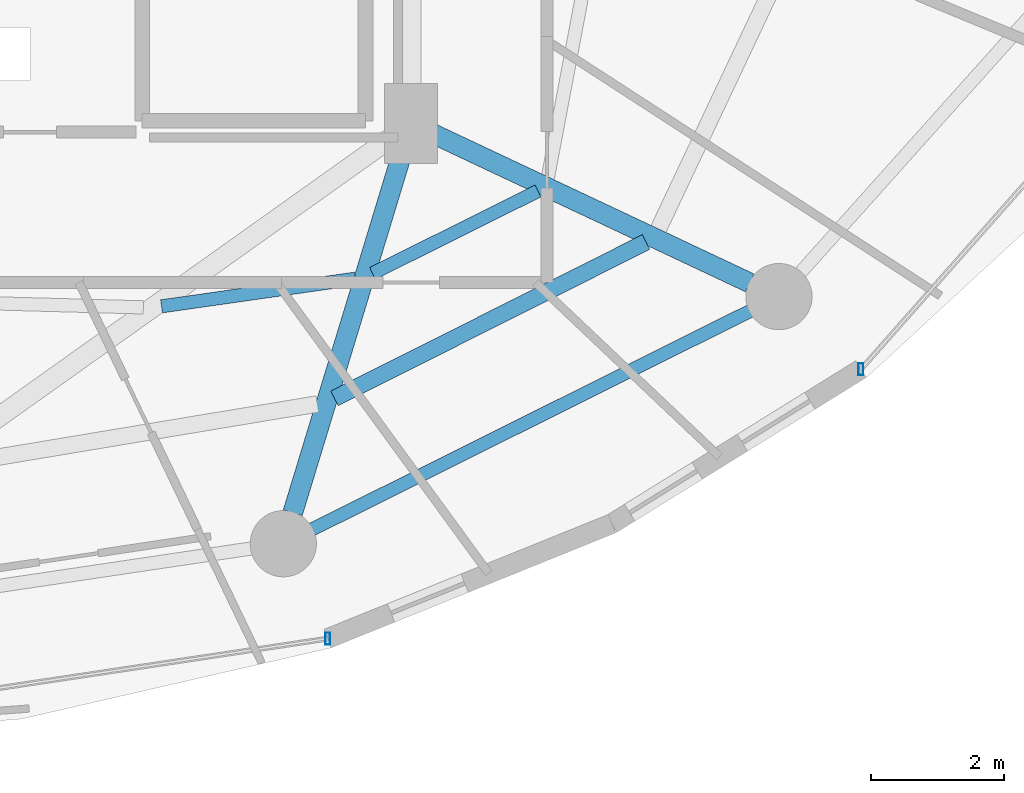
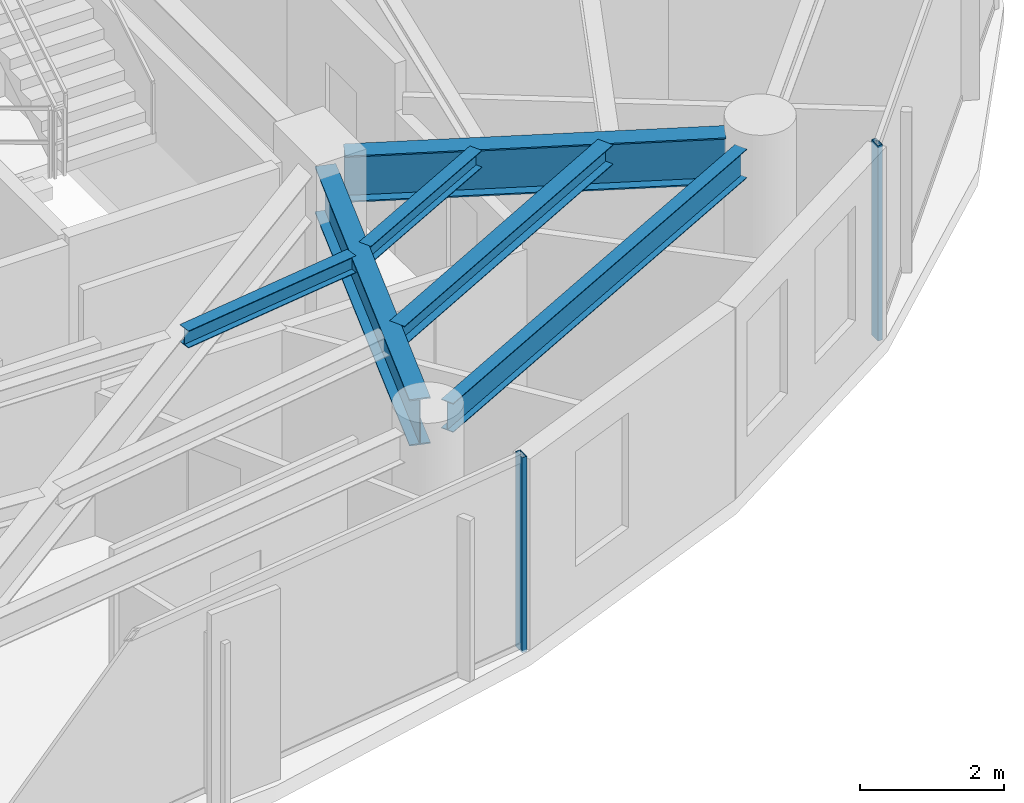
# One storey, part 10 of 28: 6 beams, 2 members, 2 elements without a shape of their own.
"""IFC4 building model written with IfcOpenShell, lengths in metres."""

from ifc_helpers import new_model, si_unit, direction, frame, origin, origin_2d, place, context, subcontext, project, spatial, hollow_rectangle, i_section, extrude, material, material_profile, profile_set, type_object, element, aggregate, save


model = new_model("IFC4")

# Units and contexts
model_context = context("Model", 3, precision=1e-05, world=origin(), true_north=direction((0.0, 1.0)))
body_context = subcontext(model_context, "Body", "Model", "MODEL_VIEW")
ifc_project = project(units=[si_unit("LENGTHUNIT", "METRE"), si_unit("AREAUNIT", "SQUARE_METRE"), si_unit("VOLUMEUNIT", "CUBIC_METRE"), si_unit("PLANEANGLEUNIT", "RADIAN"), si_unit("MASSUNIT", "GRAM", prefix="KILO")], contexts=[model_context])

# Site, building, storey
site_placement = place(None, origin())
site = spatial("IfcSite", under=ifc_project, at=site_placement, CompositionType="ELEMENT")
building_placement = place(site_placement, origin())
building = spatial("IfcBuilding", under=site, at=building_placement, Name="Vorneva Point Tower", CompositionType="ELEMENT")
storey_placement = place(building_placement, frame((0.0, 0.0, 160.60009765625)))
storey = spatial("IfcBuildingStorey", under=building, at=storey_placement, Name="L43", CompositionType="ELEMENT", Elevation=160.60009765625)

# Beams
ifc_material_1 = material(Name="Steel S355", Category="steel")
ifc_material_profile_1 = material_profile(ifc_material_1, i_section(OverallWidth=0.300048828125, OverallDepth=0.7880859375, WebThickness=0.014404296875, FlangeThickness=0.02197265625, at=origin_2d()), Name="80Sh1")
ifc_profile_set_1 = profile_set([ifc_material_profile_1], Name="Steel S355")
beam_type_1 = type_object("IfcBeamType", Name="BM-GRD-80Sh1", PredefinedType="USERDEFINED", material=ifc_profile_set_1)
beam_1_placement = place(storey_placement, frame((46.962890625, 10.576171875, 2.845947265625), z_axis=(0.291049382966, 0.95670803105, 0.0), x_axis=(-0.95670803105, 0.291049382966, 0.0)))
element("IfcBeam", 1, at=beam_1_placement, inside=storey, type_object=beam_type_1, Name="L43 Radial Primary Girder 14", ObjectType="GIRDER", PredefinedType="USERDEFINED", context=body_context, shape_type="SweptSolid", body=[
    extrude(i_section(OverallWidth=0.300048828125, OverallDepth=0.7880859375, WebThickness=0.014404296875, FlangeThickness=0.02197265625, at=origin_2d()), origin(), (0.0, 0.0, 1.0), 5.799560546875),
])
beam_2_placement = place(storey_placement, frame((53.857421875, 14.045654296875, 2.845947265625), z_axis=(-0.904761331435, 0.425918927896, 0.0), x_axis=(-0.425918927896, -0.904761331435, 0.0)))
element("IfcBeam", 2, at=beam_2_placement, inside=storey, type_object=beam_type_1, Name="L43 Radial Primary Girder 15", ObjectType="GIRDER", PredefinedType="USERDEFINED", context=body_context, shape_type="SweptSolid", body=[
    extrude(i_section(OverallWidth=0.300048828125, OverallDepth=0.7880859375, WebThickness=0.014404296875, FlangeThickness=0.02197265625, at=origin_2d()), origin(), (0.0, 0.0, 1.0), 5.304931640625),
])
ifc_material_profile_2 = material_profile(ifc_material_1, i_section(OverallWidth=0.199951171875, OverallDepth=0.291015625, WebThickness=0.008056640625, FlangeThickness=0.010986328125, at=origin_2d()), Name="30Sh1")
ifc_profile_set_2 = profile_set([ifc_material_profile_2], Name="Steel S355")
beam_type_2 = type_object("IfcBeamType", Name="BM-SEC-30Sh1", PredefinedType="BEAM", material=ifc_profile_set_2)
beam_3_placement = place(storey_placement, frame((44.982421875, 13.691162109375, 3.094482421875), z_axis=(0.989997374547, 0.1410857838, 0.0), x_axis=(-0.1410857838, 0.989997374547, 0.0)))
element("IfcBeam", 3, at=beam_3_placement, inside=storey, type_object=beam_type_2, Name="L43 Secondary Floor Beam 2.13", PredefinedType="BEAM", context=body_context, shape_type="SweptSolid", body=[
    extrude(i_section(OverallWidth=0.199951171875, OverallDepth=0.291015625, WebThickness=0.008056640625, FlangeThickness=0.010986328125, at=origin_2d()), origin(), (0.0, 0.0, 1.0), 2.953857421875),
])
beam_4_placement = place(storey_placement, frame((48.166748046875, 14.188720703125, 3.094482421875), z_axis=(0.895266564534, 0.445530895031, 0.0), x_axis=(-0.445530895031, 0.895266564534, 0.0)))
element("IfcBeam", 4, at=beam_4_placement, inside=storey, type_object=beam_type_2, Name="L43 Secondary Floor Beam 2.14", PredefinedType="BEAM", context=body_context, shape_type="SweptSolid", body=[
    extrude(i_section(OverallWidth=0.199951171875, OverallDepth=0.291015625, WebThickness=0.008056640625, FlangeThickness=0.010986328125, at=origin_2d()), origin(), (0.0, 0.0, 1.0), 2.787109375),
])
ifc_material_profile_3 = material_profile(ifc_material_1, i_section(OverallWidth=0.2490234375, OverallDepth=0.333984375, WebThickness=0.008056640625, FlangeThickness=0.010986328125, at=origin_2d()), Name="35Sh1")
ifc_profile_set_3 = profile_set([ifc_material_profile_3], Name="Steel S355")
beam_type_3 = type_object("IfcBeamType", Name="BM-SEC-35Sh1", PredefinedType="BEAM", material=ifc_profile_set_3)
beam_5_placement = place(storey_placement, frame((47.5927734375, 12.302490234375, 3.072998046875), z_axis=(0.893776430112, 0.44851275676, 0.0), x_axis=(-0.44851275676, 0.893776430112, 0.0)))
element("IfcBeam", 5, at=beam_5_placement, inside=storey, type_object=beam_type_3, Name="L43 Secondary Floor Beam 1.14", PredefinedType="BEAM", context=body_context, shape_type="SweptSolid", body=[
    extrude(i_section(OverallWidth=0.2490234375, OverallDepth=0.333984375, WebThickness=0.008056640625, FlangeThickness=0.010986328125, at=origin_2d()), origin(), (0.0, 0.0, 1.0), 5.260009765625),
])
ifc_material_profile_4 = material_profile(ifc_material_1, i_section(OverallWidth=0.199951171875, OverallDepth=0.491943359375, WebThickness=0.0087890625, FlangeThickness=0.011962890625, at=origin_2d()), Name="50B1")
ifc_profile_set_4 = profile_set([ifc_material_profile_4], Name="Steel S355")
beam_type_4 = type_object("IfcBeamType", Name="BM-SPN-50B1", PredefinedType="SPANDREL", material=ifc_profile_set_4)
beam_6_placement = place(storey_placement, frame((47.2548828125, 10.32568359375, 2.993896484375), z_axis=(0.894929061397, 0.446208443518, 0.0), x_axis=(-0.446208443518, 0.894929061397, 0.0)))
element("IfcBeam", 6, at=beam_6_placement, inside=storey, type_object=beam_type_4, Name="L43 Perimeter Spandrel Ring Beam 14", PredefinedType="SPANDREL", context=body_context, shape_type="SweptSolid", body=[
    extrude(i_section(OverallWidth=0.199951171875, OverallDepth=0.491943359375, WebThickness=0.0087890625, FlangeThickness=0.011962890625, at=origin_2d()), origin(), (0.0, 0.0, 1.0), 7.385986328125),
])

# Curtain wall, member
ifc_material_2 = material(Name="Pale anodised aluminium", Category="aluminium")
curtain_wall_type = type_object("IfcCurtainWallType", Name="CW-RES-SYS", PredefinedType="NOTDEFINED", material=ifc_material_2)
curtain_wall_1_placement = place(storey_placement, origin())
curtain_wall_1 = element("IfcCurtainWall", 7, at=curtain_wall_1_placement, inside=storey, type_object=curtain_wall_type, Name="L43 Unitised Curtain Wall CW-L43-R01", PredefinedType="NOTDEFINED")
ifc_material_profile_5 = material_profile(ifc_material_2, hollow_rectangle(XDim=0.074951171875, YDim=0.179931640625, WallThickness=0.00390625, at=origin_2d()), Name="AL-MUL 180x75x4")
ifc_profile_set_5 = profile_set([ifc_material_profile_5], Name="Pale anodised aluminium")
member_type = type_object("IfcMemberType", Name="CW-MUL-180", PredefinedType="MULLION", material=ifc_profile_set_5)
member_1_placement = place(storey_placement, frame((55.5361328125, 12.74169921875, -0.0400390625), z_axis=(0.0, 0.0, 1.0), x_axis=(1.0, 0.0, 0.0)))
member_1 = element("IfcMember", 8, at=member_1_placement, type_object=member_type, Name="CW-L43-R01 Mullion 01", PredefinedType="MULLION", context=body_context, shape_type="SweptSolid", body=[
    extrude(hollow_rectangle(XDim=0.074951171875, YDim=0.179931640625, WallThickness=0.00390625, at=origin_2d()), origin(), (0.0, 0.0, 1.0), 3.31005859375),
])
aggregate(curtain_wall_1, [member_1])

curtain_wall_2_placement = place(storey_placement, origin())
curtain_wall_2 = element("IfcCurtainWall", 9, at=curtain_wall_2_placement, inside=storey, type_object=curtain_wall_type, Name="L43 Unitised Curtain Wall CW-L43-R04", PredefinedType="NOTDEFINED")
member_2_placement = place(storey_placement, frame((47.490478515625, 8.67724609375, -0.0400390625), z_axis=(0.0, 0.0, 1.0), x_axis=(1.0, 0.0, 0.0)))
member_2 = element("IfcMember", 10, at=member_2_placement, type_object=member_type, Name="CW-L43-R04 Mullion 03", PredefinedType="MULLION", context=body_context, shape_type="SweptSolid", body=[
    extrude(hollow_rectangle(XDim=0.074951171875, YDim=0.179931640625, WallThickness=0.00390625, at=origin_2d()), origin(), (0.0, 0.0, 1.0), 3.31005859375),
])
aggregate(curtain_wall_2, [member_2])

save(model, "model.ifc")
